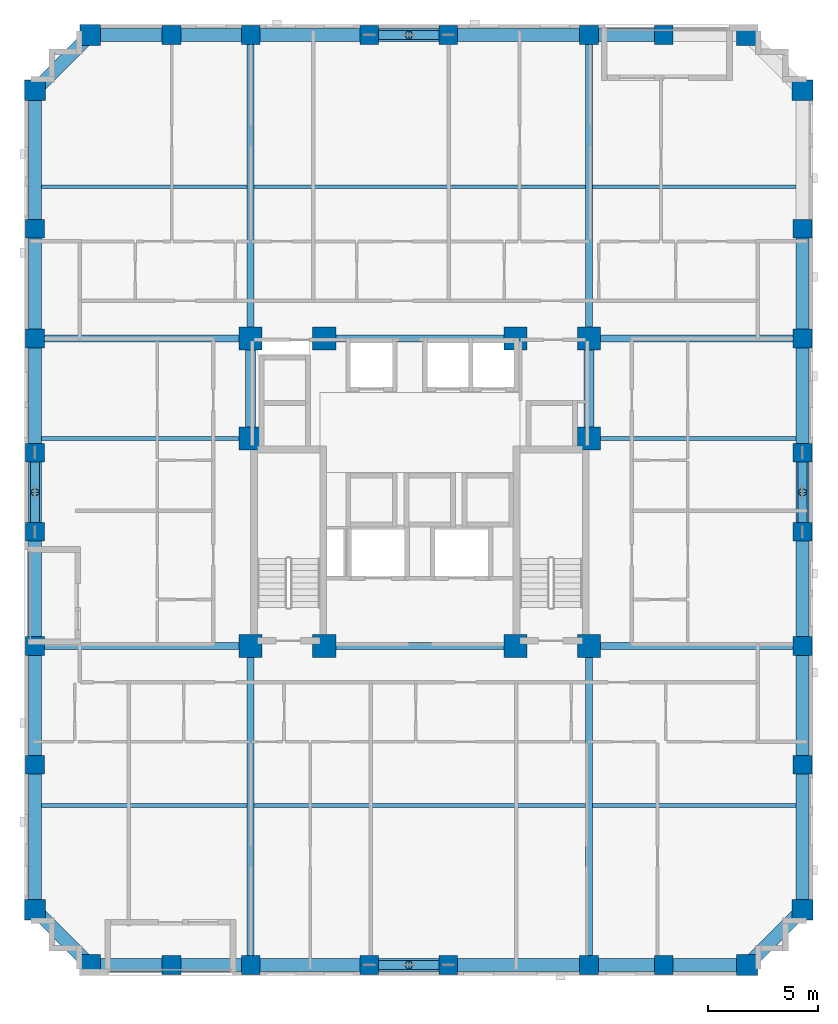
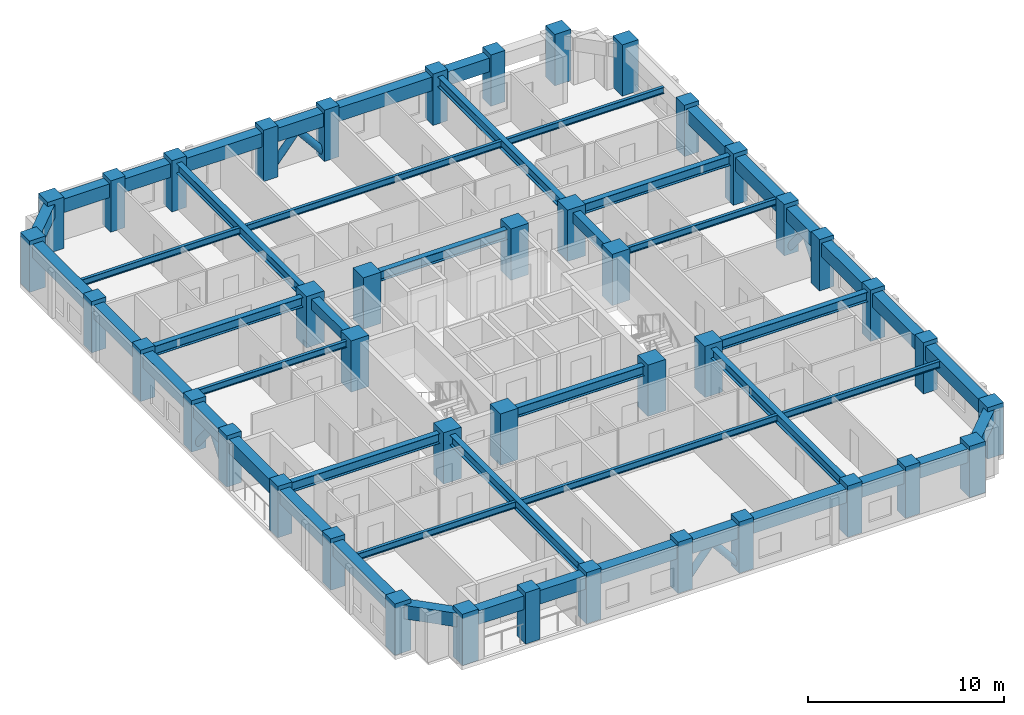
# One storey, part 1 of 12: 49 beams, 42 columns, 8 members.
"""IFC4 building model written with IfcOpenShell, lengths in metres."""

from ifc_helpers import new_model, si_unit, derived_unit, direction, frame, origin, origin_2d, place, context, subcontext, project, spatial, rectangle, hollow_circle, i_section, extrude, material, material_profile, profile_set, type_object, element, save


model = new_model("IFC4")

# Units and contexts
model_context = context("Model", 3, precision=1e-05, world=origin(), true_north=direction((0.0, 1.0)))
body_context = subcontext(model_context, "Body", "Model", "MODEL_VIEW")
ifc_project = project(units=[si_unit("LENGTHUNIT", "METRE"), si_unit("AREAUNIT", "SQUARE_METRE"), si_unit("VOLUMEUNIT", "CUBIC_METRE"), si_unit("PLANEANGLEUNIT", "RADIAN"), si_unit("MASSUNIT", "GRAM", prefix="KILO"), derived_unit("THERMALTRANSMITTANCEUNIT", [(si_unit("MASSUNIT", "GRAM", prefix="KILO"), 1), (si_unit("TIMEUNIT", "SECOND"), -3), (si_unit("THERMODYNAMICTEMPERATUREUNIT", "KELVIN"), -1)])], contexts=[model_context])

# Site, building, storey
site_placement = place(None, origin())
site = spatial("IfcSite", under=ifc_project, at=site_placement, CompositionType="ELEMENT")
building_placement = place(site_placement, origin())
building = spatial("IfcBuilding", under=site, at=building_placement, Name="Korrvale Station Residences", CompositionType="ELEMENT")
storey_placement = place(building_placement, frame((0.0, 0.0, 87.89990234375)))
storey = spatial("IfcBuildingStorey", under=building, at=storey_placement, Name="L24", CompositionType="ELEMENT", Elevation=87.89990234375)

# Columns
ifc_material_1 = material(Name="Concrete C60/75", Category="concrete")
ifc_material_profile_1 = material_profile(ifc_material_1, rectangle(XDim=1.050048828125, YDim=1.050048828125, at=origin_2d()), Name="RC1050x1050")
ifc_profile_set_1 = profile_set([ifc_material_profile_1], Name="Concrete C60/75")
column_type_1 = type_object("IfcColumnType", Name="COL-C-RC1050x1050-C6075", PredefinedType="COLUMN", material=ifc_profile_set_1)
for number, where, z_axis, x_axis, name in (
    (1, (17.800048828125, 15.0, 0.0), (0.0, 0.0, 1.0), (1.0, 0.0, 0.0), "L24 Core Column 01"),
    (2, (21.14990234375, 15.0, 0.0), (0.0, 0.0, 1.0), (1.0, 0.0, 0.0), "L24 Core Column 02"),
    (3, (29.85009765625, 15.0, 0.0), (0.0, 0.0, 1.0), (1.0, 0.0, 0.0), "L24 Core Column 03"),
    (4, (33.199951171875, 15.0, 0.0), (0.0, 0.0, 1.0), (1.0, 0.0, 0.0), "L24 Core Column 04"),
    (5, (17.800048828125, 29.0, 0.0), (0.0, 0.0, 1.0), (1.0, 0.0, 0.0), "L24 Core Column 05"),
    (6, (21.14990234375, 29.0, 0.0), (0.0, 0.0, 1.0), (1.0, 0.0, 0.0), "L24 Core Column 06"),
    (7, (29.85009765625, 29.0, 0.0), (0.0, 0.0, 1.0), (1.0, 0.0, 0.0), "L24 Core Column 07"),
    (8, (33.199951171875, 29.0, 0.0), (0.0, 0.0, 1.0), (1.0, 0.0, 0.0), "L24 Core Column 08"),
    (9, (17.800048828125, 24.449951171875, 0.0), (0.0, 0.0, 1.0), (1.0, 0.0, 0.0), "L24 Core Column 09"),
    (10, (33.199951171875, 24.449951171875, 0.0), (0.0, 0.0, 1.0), (1.0, 0.0, 0.0), "L24 Core Column 10"),
):
    element("IfcColumn", number, at=place(storey_placement, frame(where, z_axis=z_axis, x_axis=x_axis)), inside=storey, type_object=column_type_1, Name=name, PredefinedType="COLUMN", context=body_context, shape_type="SweptSolid", body=[
        extrude(rectangle(XDim=1.050048828125, YDim=1.050048828125, at=origin_2d()), origin(), (0.0, 0.0, 1.0), 3.2001953125),
    ])
ifc_material_profile_2 = material_profile(ifc_material_1, rectangle(XDim=0.85009765625, YDim=0.85009765625, at=origin_2d()), Name="RC850x850")
ifc_profile_set_2 = profile_set([ifc_material_profile_2], Name="Concrete C60/75")
column_type_2 = type_object("IfcColumnType", Name="COL-C-RC850x850-C6075", PredefinedType="COLUMN", material=ifc_profile_set_2)
for number, where, z_axis, x_axis, name in (
    (11, (14.199951171875, 0.47998046875, 0.0), (0.0, 0.0, 1.0), (1.0, 0.0, 0.0), "L24 Bundled-Tube South Column 02"),
    (12, (17.800048828125, 0.47998046875, 0.0), (0.0, 0.0, 1.0), (1.0, 0.0, 0.0), "L24 Bundled-Tube South Column 03"),
    (13, (23.199951171875, 0.47998046875, 0.0), (0.0, 0.0, 1.0), (1.0, 0.0, 0.0), "L24 Bundled-Tube South Column 04"),
    (14, (26.800048828125, 0.47998046875, 0.0), (0.0, 0.0, 1.0), (1.0, 0.0, 0.0), "L24 Bundled-Tube South Column 05"),
    (15, (33.199951171875, 0.47998046875, 0.0), (0.0, 0.0, 1.0), (1.0, 0.0, 0.0), "L24 Bundled-Tube South Column 06"),
    (16, (36.60009765625, 0.47998046875, 0.0), (0.0, 0.0, 1.0), (1.0, 0.0, 0.0), "L24 Bundled-Tube South Column 07"),
    (17, (14.199951171875, 42.820068359375, 0.0), (0.0, 0.0, 1.0), (1.0, 0.0, 0.0), "L24 Bundled-Tube North Column 10"),
    (18, (17.800048828125, 42.820068359375, 0.0), (0.0, 0.0, 1.0), (1.0, 0.0, 0.0), "L24 Bundled-Tube North Column 11"),
    (19, (23.199951171875, 42.820068359375, 0.0), (0.0, 0.0, 1.0), (1.0, 0.0, 0.0), "L24 Bundled-Tube North Column 12"),
    (20, (26.800048828125, 42.820068359375, 0.0), (0.0, 0.0, 1.0), (1.0, 0.0, 0.0), "L24 Bundled-Tube North Column 13"),
    (21, (33.199951171875, 42.820068359375, 0.0), (0.0, 0.0, 1.0), (1.0, 0.0, 0.0), "L24 Bundled-Tube North Column 14"),
    (22, (36.60009765625, 42.820068359375, 0.0), (0.0, 0.0, 1.0), (1.0, 0.0, 0.0), "L24 Bundled-Tube North Column 15"),
    (23, (7.97998046875, 9.60009765625, 0.0), (0.0, 0.0, 1.0), (1.0, 0.0, 0.0), "L24 Bundled-Tube West Column 18"),
    (24, (7.97998046875, 15.0, 0.0), (0.0, 0.0, 1.0), (1.0, 0.0, 0.0), "L24 Bundled-Tube West Column 19"),
    (25, (7.97998046875, 20.199951171875, 0.0), (0.0, 0.0, 1.0), (1.0, 0.0, 0.0), "L24 Bundled-Tube West Column 20"),
    (26, (7.97998046875, 23.800048828125, 0.0), (0.0, 0.0, 1.0), (1.0, 0.0, 0.0), "L24 Bundled-Tube West Column 21"),
    (27, (7.97998046875, 29.0, 0.0), (0.0, 0.0, 1.0), (1.0, 0.0, 0.0), "L24 Bundled-Tube West Column 22"),
    (28, (7.97998046875, 34.0, 0.0), (0.0, 0.0, 1.0), (1.0, 0.0, 0.0), "L24 Bundled-Tube West Column 23"),
    (29, (42.919921875, 9.60009765625, 0.0), (0.0, 0.0, 1.0), (1.0, 0.0, 0.0), "L24 Bundled-Tube East Column 26"),
    (30, (42.919921875, 15.0, 0.0), (0.0, 0.0, 1.0), (1.0, 0.0, 0.0), "L24 Bundled-Tube East Column 27"),
    (31, (42.919921875, 20.199951171875, 0.0), (0.0, 0.0, 1.0), (1.0, 0.0, 0.0), "L24 Bundled-Tube East Column 28"),
    (32, (42.919921875, 23.800048828125, 0.0), (0.0, 0.0, 1.0), (1.0, 0.0, 0.0), "L24 Bundled-Tube East Column 29"),
    (33, (42.919921875, 29.0, 0.0), (0.0, 0.0, 1.0), (1.0, 0.0, 0.0), "L24 Bundled-Tube East Column 30"),
    (34, (42.919921875, 34.0, 0.0), (0.0, 0.0, 1.0), (1.0, 0.0, 0.0), "L24 Bundled-Tube East Column 31"),
):
    element("IfcColumn", number, at=place(storey_placement, frame(where, z_axis=z_axis, x_axis=x_axis)), inside=storey, type_object=column_type_2, Name=name, PredefinedType="COLUMN", context=body_context, shape_type="SweptSolid", body=[
        extrude(rectangle(XDim=0.85009765625, YDim=0.85009765625, at=origin_2d()), origin(), (0.0, 0.0, 1.0), 3.2001953125),
    ])
ifc_material_profile_3 = material_profile(ifc_material_1, rectangle(XDim=0.949951171875, YDim=0.949951171875, at=origin_2d()), Name="RC950x950")
ifc_profile_set_3 = profile_set([ifc_material_profile_3], Name="Concrete C60/75")
column_type_3 = type_object("IfcColumnType", Name="COL-C-RC950x950-C6075", PredefinedType="COLUMN", material=ifc_profile_set_3)
for number, where, z_axis, x_axis, name in (
    (35, (10.5, 0.47998046875, 0.0), (0.0, 0.0, 1.0), (1.0, 0.0, 0.0), "L24 Bundled-Tube South Column 01"),
    (36, (40.39990234375, 0.47998046875, 0.0), (0.0, 0.0, 1.0), (1.0, 0.0, 0.0), "L24 Bundled-Tube South Column 08"),
    (37, (10.5, 42.820068359375, 0.0), (0.0, 0.0, 1.0), (1.0, 0.0, 0.0), "L24 Bundled-Tube North Column 09"),
    (38, (40.39990234375, 42.820068359375, 0.0), (0.0, 0.0, 1.0), (1.0, 0.0, 0.0), "L24 Bundled-Tube North Column 16"),
    (39, (7.97998046875, 3.0, 0.0), (0.0, 0.0, 1.0), (1.0, 0.0, 0.0), "L24 Bundled-Tube West Column 17"),
    (40, (7.97998046875, 40.300048828125, 0.0), (0.0, 0.0, 1.0), (1.0, 0.0, 0.0), "L24 Bundled-Tube West Column 24"),
    (41, (42.919921875, 3.0, 0.0), (0.0, 0.0, 1.0), (1.0, 0.0, 0.0), "L24 Bundled-Tube East Column 25"),
    (42, (42.919921875, 40.300048828125, 0.0), (0.0, 0.0, 1.0), (1.0, 0.0, 0.0), "L24 Bundled-Tube East Column 32"),
):
    element("IfcColumn", number, at=place(storey_placement, frame(where, z_axis=z_axis, x_axis=x_axis)), inside=storey, type_object=column_type_3, Name=name, PredefinedType="COLUMN", context=body_context, shape_type="SweptSolid", body=[
        extrude(rectangle(XDim=0.949951171875, YDim=0.949951171875, at=origin_2d()), origin(), (0.0, 0.0, 1.0), 3.2001953125),
    ])

# Beams
ifc_material_2 = material(Name="Steel S355", Category="steel")
ifc_material_profile_4 = material_profile(ifc_material_2, i_section(OverallWidth=0.324951171875, OverallDepth=0.615966796875, WebThickness=0.013916015625, FlangeThickness=0.021484375, FilletRadius=0.01904296875, at=origin_2d()), Name="W610x174")
ifc_profile_set_4 = profile_set([ifc_material_profile_4], Name="Steel S355")
beam_type_1 = type_object("IfcBeamType", Name="BM-BM-W610x174-S355", PredefinedType="BEAM", material=ifc_profile_set_4)
for number, where, z_axis, x_axis, name in (
    (43, (17.800048828125, 0.47998046875, 2.632080078125), (0.0, 1.0, 0.0), (-1.0, 0.0, 0.0), "L24 Bundled-Tube Web Girder 01"),
    (44, (33.199951171875, 0.47998046875, 2.632080078125), (0.0, 1.0, 0.0), (-1.0, 0.0, 0.0), "L24 Bundled-Tube Web Girder 02"),
):
    element("IfcBeam", number, at=place(storey_placement, frame(where, z_axis=z_axis, x_axis=x_axis)), inside=storey, type_object=beam_type_1, Name=name, PredefinedType="BEAM", context=body_context, shape_type="SweptSolid", body=[
        extrude(i_section(OverallWidth=0.324951171875, OverallDepth=0.615966796875, WebThickness=0.013916015625, FlangeThickness=0.021484375, FilletRadius=0.01904296875, at=origin_2d()), origin(), (0.0, 0.0, 1.0), 14.52001953125),
    ])
for number, where, z_axis, x_axis, name in (
    (45, (17.800048828125, 29.0, 2.632080078125), (0.0, 1.0, 0.0), (-1.0, 0.0, 0.0), "L24 Bundled-Tube Web Girder 03"),
    (46, (33.199951171875, 29.0, 2.632080078125), (0.0, 1.0, 0.0), (-1.0, 0.0, 0.0), "L24 Bundled-Tube Web Girder 04"),
):
    element("IfcBeam", number, at=place(storey_placement, frame(where, z_axis=z_axis, x_axis=x_axis)), inside=storey, type_object=beam_type_1, Name=name, PredefinedType="BEAM", context=body_context, shape_type="SweptSolid", body=[
        extrude(i_section(OverallWidth=0.324951171875, OverallDepth=0.615966796875, WebThickness=0.013916015625, FlangeThickness=0.021484375, FilletRadius=0.01904296875, at=origin_2d()), origin(), (0.0, 0.0, 1.0), 13.820068359375),
    ])
beam_1_placement = place(storey_placement, frame((7.97998046875, 15.0, 2.632080078125), z_axis=(1.0, 0.0, 0.0), x_axis=(0.0, 1.0, 0.0)))
element("IfcBeam", 47, at=beam_1_placement, inside=storey, type_object=beam_type_1, Name="L24 Bundled-Tube Web Girder 05", PredefinedType="BEAM", context=body_context, shape_type="SweptSolid", body=[
    extrude(i_section(OverallWidth=0.324951171875, OverallDepth=0.615966796875, WebThickness=0.013916015625, FlangeThickness=0.021484375, FilletRadius=0.01904296875, at=origin_2d()), origin(), (0.0, 0.0, 1.0), 9.820068359375),
])
beam_2_placement = place(storey_placement, frame((33.199951171875, 15.0, 2.632080078125), z_axis=(1.0, 0.0, 0.0), x_axis=(0.0, 1.0, 0.0)))
element("IfcBeam", 48, at=beam_2_placement, inside=storey, type_object=beam_type_1, Name="L24 Bundled-Tube Web Girder 06", PredefinedType="BEAM", context=body_context, shape_type="SweptSolid", body=[
    extrude(i_section(OverallWidth=0.324951171875, OverallDepth=0.615966796875, WebThickness=0.013916015625, FlangeThickness=0.021484375, FilletRadius=0.01904296875, at=origin_2d()), origin(), (0.0, 0.0, 1.0), 9.719970703125),
])
beam_3_placement = place(storey_placement, frame((7.97998046875, 29.0, 2.632080078125), z_axis=(1.0, 0.0, 0.0), x_axis=(0.0, 1.0, 0.0)))
element("IfcBeam", 49, at=beam_3_placement, inside=storey, type_object=beam_type_1, Name="L24 Bundled-Tube Web Girder 07", PredefinedType="BEAM", context=body_context, shape_type="SweptSolid", body=[
    extrude(i_section(OverallWidth=0.324951171875, OverallDepth=0.615966796875, WebThickness=0.013916015625, FlangeThickness=0.021484375, FilletRadius=0.01904296875, at=origin_2d()), origin(), (0.0, 0.0, 1.0), 9.820068359375),
])
beam_4_placement = place(storey_placement, frame((33.199951171875, 29.0, 2.632080078125), z_axis=(1.0, 0.0, 0.0), x_axis=(0.0, 1.0, 0.0)))
element("IfcBeam", 50, at=beam_4_placement, inside=storey, type_object=beam_type_1, Name="L24 Bundled-Tube Web Girder 08", PredefinedType="BEAM", context=body_context, shape_type="SweptSolid", body=[
    extrude(i_section(OverallWidth=0.324951171875, OverallDepth=0.615966796875, WebThickness=0.013916015625, FlangeThickness=0.021484375, FilletRadius=0.01904296875, at=origin_2d()), origin(), (0.0, 0.0, 1.0), 9.719970703125),
])
for number, where, z_axis, x_axis, name in (
    (51, (21.14990234375, 15.0, 2.632080078125), (1.0, 0.0, 0.0), (0.0, 1.0, 0.0), "L24 Bundled-Tube Web Girder 09"),
    (52, (21.14990234375, 29.0, 2.632080078125), (1.0, 0.0, 0.0), (0.0, 1.0, 0.0), "L24 Bundled-Tube Web Girder 10"),
):
    element("IfcBeam", number, at=place(storey_placement, frame(where, z_axis=z_axis, x_axis=x_axis)), inside=storey, type_object=beam_type_1, Name=name, PredefinedType="BEAM", context=body_context, shape_type="SweptSolid", body=[
        extrude(i_section(OverallWidth=0.324951171875, OverallDepth=0.615966796875, WebThickness=0.013916015625, FlangeThickness=0.021484375, FilletRadius=0.01904296875, at=origin_2d()), origin(), (0.0, 0.0, 1.0), 8.7001953125),
    ])
ifc_material_profile_5 = material_profile(ifc_material_2, i_section(OverallWidth=0.177978515625, OverallDepth=0.406982421875, WebThickness=0.0078125, FlangeThickness=0.0126953125, FilletRadius=0.01611328125, at=origin_2d()), Name="W410x60")
ifc_profile_set_5 = profile_set([ifc_material_profile_5], Name="Steel S355")
beam_type_2 = type_object("IfcBeamType", Name="BM-JST-W410x60-S355", PredefinedType="JOIST", material=ifc_profile_set_5)
beam_5_placement = place(storey_placement, frame((8.280029296875, 7.739990234375, 2.736572265625), z_axis=(1.0, 0.0, 0.0), x_axis=(0.0, 1.0, 0.0)))
element("IfcBeam", 53, at=beam_5_placement, inside=storey, type_object=beam_type_2, Name="L24 Floor Framing Joist 01", PredefinedType="JOIST", context=body_context, shape_type="SweptSolid", body=[
    extrude(i_section(OverallWidth=0.177978515625, OverallDepth=0.406982421875, WebThickness=0.0078125, FlangeThickness=0.0126953125, FilletRadius=0.01611328125, at=origin_2d()), origin(), (0.0, 0.0, 1.0), 9.357421875),
])
beam_6_placement = place(storey_placement, frame((17.96240234375, 7.739990234375, 2.736572265625), z_axis=(1.0, 0.0, 0.0), x_axis=(0.0, 1.0, 0.0)))
element("IfcBeam", 54, at=beam_6_placement, inside=storey, type_object=beam_type_2, Name="L24 Floor Framing Joist 02", PredefinedType="JOIST", context=body_context, shape_type="SweptSolid", body=[
    extrude(i_section(OverallWidth=0.177978515625, OverallDepth=0.406982421875, WebThickness=0.0078125, FlangeThickness=0.0126953125, FilletRadius=0.01611328125, at=origin_2d()), origin(), (0.0, 0.0, 1.0), 15.0751953125),
])
beam_7_placement = place(storey_placement, frame((33.362548828125, 7.739990234375, 2.736572265625), z_axis=(1.0, 0.0, 0.0), x_axis=(0.0, 1.0, 0.0)))
element("IfcBeam", 55, at=beam_7_placement, inside=storey, type_object=beam_type_2, Name="L24 Floor Framing Joist 03", PredefinedType="JOIST", context=body_context, shape_type="SweptSolid", body=[
    extrude(i_section(OverallWidth=0.177978515625, OverallDepth=0.406982421875, WebThickness=0.0078125, FlangeThickness=0.0126953125, FilletRadius=0.01611328125, at=origin_2d()), origin(), (0.0, 0.0, 1.0), 9.257568359375),
])
beam_8_placement = place(storey_placement, frame((8.280029296875, 35.909912109375, 2.736572265625), z_axis=(1.0, 0.0, 0.0), x_axis=(0.0, 1.0, 0.0)))
element("IfcBeam", 56, at=beam_8_placement, inside=storey, type_object=beam_type_2, Name="L24 Floor Framing Joist 04", PredefinedType="JOIST", context=body_context, shape_type="SweptSolid", body=[
    extrude(i_section(OverallWidth=0.177978515625, OverallDepth=0.406982421875, WebThickness=0.0078125, FlangeThickness=0.0126953125, FilletRadius=0.01611328125, at=origin_2d()), origin(), (0.0, 0.0, 1.0), 9.357421875),
])
beam_9_placement = place(storey_placement, frame((17.96240234375, 35.909912109375, 2.736572265625), z_axis=(1.0, 0.0, 0.0), x_axis=(0.0, 1.0, 0.0)))
element("IfcBeam", 57, at=beam_9_placement, inside=storey, type_object=beam_type_2, Name="L24 Floor Framing Joist 05", PredefinedType="JOIST", context=body_context, shape_type="SweptSolid", body=[
    extrude(i_section(OverallWidth=0.177978515625, OverallDepth=0.406982421875, WebThickness=0.0078125, FlangeThickness=0.0126953125, FilletRadius=0.01611328125, at=origin_2d()), origin(), (0.0, 0.0, 1.0), 15.0751953125),
])
beam_10_placement = place(storey_placement, frame((33.362548828125, 35.909912109375, 2.736572265625), z_axis=(1.0, 0.0, 0.0), x_axis=(0.0, 1.0, 0.0)))
element("IfcBeam", 58, at=beam_10_placement, inside=storey, type_object=beam_type_2, Name="L24 Floor Framing Joist 06", PredefinedType="JOIST", context=body_context, shape_type="SweptSolid", body=[
    extrude(i_section(OverallWidth=0.177978515625, OverallDepth=0.406982421875, WebThickness=0.0078125, FlangeThickness=0.0126953125, FilletRadius=0.01611328125, at=origin_2d()), origin(), (0.0, 0.0, 1.0), 9.257568359375),
])
beam_11_placement = place(storey_placement, frame((33.425048828125, 24.449951171875, 2.736572265625), z_axis=(1.0, 0.0, 0.0), x_axis=(0.0, 1.0, 0.0)))
element("IfcBeam", 59, at=beam_11_placement, inside=storey, type_object=beam_type_2, Name="L24 Floor Framing Joist 07", PredefinedType="JOIST", context=body_context, shape_type="SweptSolid", body=[
    extrude(i_section(OverallWidth=0.177978515625, OverallDepth=0.406982421875, WebThickness=0.0078125, FlangeThickness=0.0126953125, FilletRadius=0.01611328125, at=origin_2d()), origin(), (0.0, 0.0, 1.0), 9.195068359375),
])
beam_12_placement = place(storey_placement, frame((8.280029296875, 24.449951171875, 2.736572265625), z_axis=(1.0, 0.0, 0.0), x_axis=(0.0, 1.0, 0.0)))
element("IfcBeam", 60, at=beam_12_placement, inside=storey, type_object=beam_type_2, Name="L24 Floor Framing Joist 08", PredefinedType="JOIST", context=body_context, shape_type="SweptSolid", body=[
    extrude(i_section(OverallWidth=0.177978515625, OverallDepth=0.406982421875, WebThickness=0.0078125, FlangeThickness=0.0126953125, FilletRadius=0.01611328125, at=origin_2d()), origin(), (0.0, 0.0, 1.0), 9.294921875),
])
ifc_material_profile_6 = material_profile(ifc_material_1, rectangle(XDim=0.449951171875, YDim=0.64990234375, at=origin_2d()), Name="RCB450x650")
ifc_profile_set_6 = profile_set([ifc_material_profile_6], Name="Concrete C60/75")
beam_type_3 = type_object("IfcBeamType", Name="BM-LNT-RCB450x650-C6075", PredefinedType="LINTEL", material=ifc_profile_set_6)
for number, where, z_axis, x_axis, name in (
    (61, (17.800048828125, 24.449951171875, 2.614990234375), (0.0, 1.0, 0.0), (-1.0, 0.0, 0.0), "L24 Core Coupling Lintel 1"),
    (62, (33.199951171875, 24.449951171875, 2.614990234375), (0.0, 1.0, 0.0), (-1.0, 0.0, 0.0), "L24 Core Coupling Lintel 2"),
):
    element("IfcBeam", number, at=place(storey_placement, frame(where, z_axis=z_axis, x_axis=x_axis)), inside=storey, type_object=beam_type_3, Name=name, PredefinedType="LINTEL", context=body_context, shape_type="SweptSolid", body=[
        extrude(rectangle(XDim=0.449951171875, YDim=0.64990234375, at=origin_2d()), origin(), (0.0, 0.0, 1.0), 4.550048828125),
    ])
ifc_material_profile_7 = material_profile(ifc_material_1, rectangle(XDim=0.60009765625, YDim=0.85009765625, at=origin_2d()), Name="RCB600x850")
ifc_profile_set_7 = profile_set([ifc_material_profile_7], Name="Concrete C60/75")
beam_type_4 = type_object("IfcBeamType", Name="BM-SPB-RCB600x850-C6075", PredefinedType="SPANDREL", material=ifc_profile_set_7)
beam_13_placement = place(storey_placement, frame((10.5, 0.47998046875, 2.51513671875), z_axis=(1.0, 0.0, 0.0), x_axis=(0.0, 1.0, 0.0)))
element("IfcBeam", 63, at=beam_13_placement, inside=storey, type_object=beam_type_4, Name="L24 South Tube Spandrel 01", PredefinedType="SPANDREL", context=body_context, shape_type="SweptSolid", body=[
    extrude(rectangle(XDim=0.60009765625, YDim=0.85009765625, at=origin_2d()), origin(), (0.0, 0.0, 1.0), 3.699951171875),
])
beam_14_placement = place(storey_placement, frame((14.199951171875, 0.47998046875, 2.51513671875), z_axis=(1.0, 0.0, 0.0), x_axis=(0.0, 1.0, 0.0)))
element("IfcBeam", 64, at=beam_14_placement, inside=storey, type_object=beam_type_4, Name="L24 South Tube Spandrel 02", PredefinedType="SPANDREL", context=body_context, shape_type="SweptSolid", body=[
    extrude(rectangle(XDim=0.60009765625, YDim=0.85009765625, at=origin_2d()), origin(), (0.0, 0.0, 1.0), 3.60009765625),
])
beam_15_placement = place(storey_placement, frame((17.800048828125, 0.47998046875, 2.51513671875), z_axis=(1.0, 0.0, 0.0), x_axis=(0.0, 1.0, 0.0)))
element("IfcBeam", 65, at=beam_15_placement, inside=storey, type_object=beam_type_4, Name="L24 South Tube Spandrel 03", PredefinedType="SPANDREL", context=body_context, shape_type="SweptSolid", body=[
    extrude(rectangle(XDim=0.60009765625, YDim=0.85009765625, at=origin_2d()), origin(), (0.0, 0.0, 1.0), 5.39990234375),
])
beam_16_placement = place(storey_placement, frame((23.199951171875, 0.47998046875, 2.51513671875), z_axis=(1.0, 0.0, 0.0), x_axis=(0.0, 1.0, 0.0)))
element("IfcBeam", 66, at=beam_16_placement, inside=storey, type_object=beam_type_4, Name="L24 South Tube Spandrel 04", PredefinedType="SPANDREL", context=body_context, shape_type="SweptSolid", body=[
    extrude(rectangle(XDim=0.60009765625, YDim=0.85009765625, at=origin_2d()), origin(), (0.0, 0.0, 1.0), 3.60009765625),
])
beam_17_placement = place(storey_placement, frame((26.800048828125, 0.47998046875, 2.51513671875), z_axis=(1.0, 0.0, 0.0), x_axis=(0.0, 1.0, 0.0)))
element("IfcBeam", 67, at=beam_17_placement, inside=storey, type_object=beam_type_4, Name="L24 South Tube Spandrel 05", PredefinedType="SPANDREL", context=body_context, shape_type="SweptSolid", body=[
    extrude(rectangle(XDim=0.60009765625, YDim=0.85009765625, at=origin_2d()), origin(), (0.0, 0.0, 1.0), 6.39990234375),
])
beam_18_placement = place(storey_placement, frame((33.199951171875, 0.47998046875, 2.51513671875), z_axis=(1.0, 0.0, 0.0), x_axis=(0.0, 1.0, 0.0)))
element("IfcBeam", 68, at=beam_18_placement, inside=storey, type_object=beam_type_4, Name="L24 South Tube Spandrel 06", PredefinedType="SPANDREL", context=body_context, shape_type="SweptSolid", body=[
    extrude(rectangle(XDim=0.60009765625, YDim=0.85009765625, at=origin_2d()), origin(), (0.0, 0.0, 1.0), 3.400146484375),
])
beam_19_placement = place(storey_placement, frame((36.60009765625, 0.47998046875, 2.51513671875), z_axis=(1.0, 0.0, 0.0), x_axis=(0.0, 1.0, 0.0)))
element("IfcBeam", 69, at=beam_19_placement, inside=storey, type_object=beam_type_4, Name="L24 South Tube Spandrel 07", PredefinedType="SPANDREL", context=body_context, shape_type="SweptSolid", body=[
    extrude(rectangle(XDim=0.60009765625, YDim=0.85009765625, at=origin_2d()), origin(), (0.0, 0.0, 1.0), 3.7998046875),
])
beam_20_placement = place(storey_placement, frame((10.5, 42.820068359375, 2.51513671875), z_axis=(1.0, 0.0, 0.0), x_axis=(0.0, 1.0, 0.0)))
element("IfcBeam", 70, at=beam_20_placement, inside=storey, type_object=beam_type_4, Name="L24 North Tube Spandrel 08", PredefinedType="SPANDREL", context=body_context, shape_type="SweptSolid", body=[
    extrude(rectangle(XDim=0.60009765625, YDim=0.85009765625, at=origin_2d()), origin(), (0.0, 0.0, 1.0), 3.699951171875),
])
beam_21_placement = place(storey_placement, frame((14.199951171875, 42.820068359375, 2.51513671875), z_axis=(1.0, 0.0, 0.0), x_axis=(0.0, 1.0, 0.0)))
element("IfcBeam", 71, at=beam_21_placement, inside=storey, type_object=beam_type_4, Name="L24 North Tube Spandrel 09", PredefinedType="SPANDREL", context=body_context, shape_type="SweptSolid", body=[
    extrude(rectangle(XDim=0.60009765625, YDim=0.85009765625, at=origin_2d()), origin(), (0.0, 0.0, 1.0), 3.60009765625),
])
beam_22_placement = place(storey_placement, frame((17.800048828125, 42.820068359375, 2.51513671875), z_axis=(1.0, 0.0, 0.0), x_axis=(0.0, 1.0, 0.0)))
element("IfcBeam", 72, at=beam_22_placement, inside=storey, type_object=beam_type_4, Name="L24 North Tube Spandrel 10", PredefinedType="SPANDREL", context=body_context, shape_type="SweptSolid", body=[
    extrude(rectangle(XDim=0.60009765625, YDim=0.85009765625, at=origin_2d()), origin(), (0.0, 0.0, 1.0), 5.39990234375),
])
beam_23_placement = place(storey_placement, frame((23.199951171875, 42.820068359375, 2.51513671875), z_axis=(1.0, 0.0, 0.0), x_axis=(0.0, 1.0, 0.0)))
element("IfcBeam", 73, at=beam_23_placement, inside=storey, type_object=beam_type_4, Name="L24 North Tube Spandrel 11", PredefinedType="SPANDREL", context=body_context, shape_type="SweptSolid", body=[
    extrude(rectangle(XDim=0.60009765625, YDim=0.85009765625, at=origin_2d()), origin(), (0.0, 0.0, 1.0), 3.60009765625),
])
beam_24_placement = place(storey_placement, frame((26.800048828125, 42.820068359375, 2.51513671875), z_axis=(1.0, 0.0, 0.0), x_axis=(0.0, 1.0, 0.0)))
element("IfcBeam", 74, at=beam_24_placement, inside=storey, type_object=beam_type_4, Name="L24 North Tube Spandrel 12", PredefinedType="SPANDREL", context=body_context, shape_type="SweptSolid", body=[
    extrude(rectangle(XDim=0.60009765625, YDim=0.85009765625, at=origin_2d()), origin(), (0.0, 0.0, 1.0), 6.39990234375),
])
beam_25_placement = place(storey_placement, frame((33.199951171875, 42.820068359375, 2.51513671875), z_axis=(1.0, 0.0, 0.0), x_axis=(0.0, 1.0, 0.0)))
element("IfcBeam", 75, at=beam_25_placement, inside=storey, type_object=beam_type_4, Name="L24 North Tube Spandrel 13", PredefinedType="SPANDREL", context=body_context, shape_type="SweptSolid", body=[
    extrude(rectangle(XDim=0.60009765625, YDim=0.85009765625, at=origin_2d()), origin(), (0.0, 0.0, 1.0), 3.400146484375),
])
beam_26_placement = place(storey_placement, frame((7.97998046875, 3.0, 2.51513671875), z_axis=(0.0, 1.0, 0.0), x_axis=(-1.0, 0.0, 0.0)))
element("IfcBeam", 76, at=beam_26_placement, inside=storey, type_object=beam_type_4, Name="L24 West Tube Spandrel 15", PredefinedType="SPANDREL", context=body_context, shape_type="SweptSolid", body=[
    extrude(rectangle(XDim=0.60009765625, YDim=0.85009765625, at=origin_2d()), origin(), (0.0, 0.0, 1.0), 6.60009765625),
])
beam_27_placement = place(storey_placement, frame((7.97998046875, 9.60009765625, 2.51513671875), z_axis=(0.0, 1.0, 0.0), x_axis=(-1.0, 0.0, 0.0)))
element("IfcBeam", 77, at=beam_27_placement, inside=storey, type_object=beam_type_4, Name="L24 West Tube Spandrel 16", PredefinedType="SPANDREL", context=body_context, shape_type="SweptSolid", body=[
    extrude(rectangle(XDim=0.60009765625, YDim=0.85009765625, at=origin_2d()), origin(), (0.0, 0.0, 1.0), 5.39990234375),
])
beam_28_placement = place(storey_placement, frame((7.97998046875, 15.0, 2.51513671875), z_axis=(0.0, 1.0, 0.0), x_axis=(-1.0, 0.0, 0.0)))
element("IfcBeam", 78, at=beam_28_placement, inside=storey, type_object=beam_type_4, Name="L24 West Tube Spandrel 17", PredefinedType="SPANDREL", context=body_context, shape_type="SweptSolid", body=[
    extrude(rectangle(XDim=0.60009765625, YDim=0.85009765625, at=origin_2d()), origin(), (0.0, 0.0, 1.0), 5.199951171875),
])
beam_29_placement = place(storey_placement, frame((7.97998046875, 20.199951171875, 2.51513671875), z_axis=(0.0, 1.0, 0.0), x_axis=(-1.0, 0.0, 0.0)))
element("IfcBeam", 79, at=beam_29_placement, inside=storey, type_object=beam_type_4, Name="L24 West Tube Spandrel 18", PredefinedType="SPANDREL", context=body_context, shape_type="SweptSolid", body=[
    extrude(rectangle(XDim=0.60009765625, YDim=0.85009765625, at=origin_2d()), origin(), (0.0, 0.0, 1.0), 3.60009765625),
])
beam_30_placement = place(storey_placement, frame((7.97998046875, 23.800048828125, 2.51513671875), z_axis=(0.0, 1.0, 0.0), x_axis=(-1.0, 0.0, 0.0)))
element("IfcBeam", 80, at=beam_30_placement, inside=storey, type_object=beam_type_4, Name="L24 West Tube Spandrel 19", PredefinedType="SPANDREL", context=body_context, shape_type="SweptSolid", body=[
    extrude(rectangle(XDim=0.60009765625, YDim=0.85009765625, at=origin_2d()), origin(), (0.0, 0.0, 1.0), 5.199951171875),
])
beam_31_placement = place(storey_placement, frame((7.97998046875, 29.0, 2.51513671875), z_axis=(0.0, 1.0, 0.0), x_axis=(-1.0, 0.0, 0.0)))
element("IfcBeam", 81, at=beam_31_placement, inside=storey, type_object=beam_type_4, Name="L24 West Tube Spandrel 20", PredefinedType="SPANDREL", context=body_context, shape_type="SweptSolid", body=[
    extrude(rectangle(XDim=0.60009765625, YDim=0.85009765625, at=origin_2d()), origin(), (0.0, 0.0, 1.0), 5.0),
])
beam_32_placement = place(storey_placement, frame((7.97998046875, 34.0, 2.51513671875), z_axis=(0.0, 1.0, 0.0), x_axis=(-1.0, 0.0, 0.0)))
element("IfcBeam", 82, at=beam_32_placement, inside=storey, type_object=beam_type_4, Name="L24 West Tube Spandrel 21", PredefinedType="SPANDREL", context=body_context, shape_type="SweptSolid", body=[
    extrude(rectangle(XDim=0.60009765625, YDim=0.85009765625, at=origin_2d()), origin(), (0.0, 0.0, 1.0), 6.300048828125),
])
beam_33_placement = place(storey_placement, frame((42.919921875, 3.0, 2.51513671875), z_axis=(0.0, 1.0, 0.0), x_axis=(-1.0, 0.0, 0.0)))
element("IfcBeam", 83, at=beam_33_placement, inside=storey, type_object=beam_type_4, Name="L24 East Tube Spandrel 22", PredefinedType="SPANDREL", context=body_context, shape_type="SweptSolid", body=[
    extrude(rectangle(XDim=0.60009765625, YDim=0.85009765625, at=origin_2d()), origin(), (0.0, 0.0, 1.0), 6.60009765625),
])
beam_34_placement = place(storey_placement, frame((42.919921875, 9.60009765625, 2.51513671875), z_axis=(0.0, 1.0, 0.0), x_axis=(-1.0, 0.0, 0.0)))
element("IfcBeam", 84, at=beam_34_placement, inside=storey, type_object=beam_type_4, Name="L24 East Tube Spandrel 23", PredefinedType="SPANDREL", context=body_context, shape_type="SweptSolid", body=[
    extrude(rectangle(XDim=0.60009765625, YDim=0.85009765625, at=origin_2d()), origin(), (0.0, 0.0, 1.0), 5.39990234375),
])
beam_35_placement = place(storey_placement, frame((42.919921875, 15.0, 2.51513671875), z_axis=(0.0, 1.0, 0.0), x_axis=(-1.0, 0.0, 0.0)))
element("IfcBeam", 85, at=beam_35_placement, inside=storey, type_object=beam_type_4, Name="L24 East Tube Spandrel 24", PredefinedType="SPANDREL", context=body_context, shape_type="SweptSolid", body=[
    extrude(rectangle(XDim=0.60009765625, YDim=0.85009765625, at=origin_2d()), origin(), (0.0, 0.0, 1.0), 5.199951171875),
])
beam_36_placement = place(storey_placement, frame((42.919921875, 20.199951171875, 2.51513671875), z_axis=(0.0, 1.0, 0.0), x_axis=(-1.0, 0.0, 0.0)))
element("IfcBeam", 86, at=beam_36_placement, inside=storey, type_object=beam_type_4, Name="L24 East Tube Spandrel 25", PredefinedType="SPANDREL", context=body_context, shape_type="SweptSolid", body=[
    extrude(rectangle(XDim=0.60009765625, YDim=0.85009765625, at=origin_2d()), origin(), (0.0, 0.0, 1.0), 3.60009765625),
])
beam_37_placement = place(storey_placement, frame((42.919921875, 23.800048828125, 2.51513671875), z_axis=(0.0, 1.0, 0.0), x_axis=(-1.0, 0.0, 0.0)))
element("IfcBeam", 87, at=beam_37_placement, inside=storey, type_object=beam_type_4, Name="L24 East Tube Spandrel 26", PredefinedType="SPANDREL", context=body_context, shape_type="SweptSolid", body=[
    extrude(rectangle(XDim=0.60009765625, YDim=0.85009765625, at=origin_2d()), origin(), (0.0, 0.0, 1.0), 5.199951171875),
])
beam_38_placement = place(storey_placement, frame((42.919921875, 29.0, 2.51513671875), z_axis=(0.0, 1.0, 0.0), x_axis=(-1.0, 0.0, 0.0)))
element("IfcBeam", 88, at=beam_38_placement, inside=storey, type_object=beam_type_4, Name="L24 East Tube Spandrel 27", PredefinedType="SPANDREL", context=body_context, shape_type="SweptSolid", body=[
    extrude(rectangle(XDim=0.60009765625, YDim=0.85009765625, at=origin_2d()), origin(), (0.0, 0.0, 1.0), 5.0),
])
for number, where, z_axis, x_axis, name in (
    (89, (10.5, 0.47998046875, 2.51513671875), (-0.707106781187, 0.707106781187, 0.0), (-0.707106781187, -0.707106781187, 0.0), "L24 Serrated Corner Spandrel 29"),
    (90, (40.39990234375, 0.47998046875, 2.51513671875), (0.707106781187, 0.707106781187, 0.0), (-0.707106781187, 0.707106781187, 0.0), "L24 Serrated Corner Spandrel 30"),
    (91, (10.5, 42.820068359375, 2.51513671875), (-0.707106781187, -0.707106781187, 0.0), (0.707106781187, -0.707106781187, 0.0), "L24 Serrated Corner Spandrel 32"),
):
    element("IfcBeam", number, at=place(storey_placement, frame(where, z_axis=z_axis, x_axis=x_axis)), inside=storey, type_object=beam_type_4, Name=name, PredefinedType="SPANDREL", context=body_context, shape_type="SweptSolid", body=[
        extrude(rectangle(XDim=0.60009765625, YDim=0.85009765625, at=origin_2d()), origin(), (0.0, 0.0, 1.0), 3.56396484375),
    ])

# Members
ifc_material_profile_8 = material_profile(ifc_material_2, hollow_circle(Radius=0.203125, WallThickness=0.015869140625, at=origin_2d()), Name="HSS406x16")
ifc_profile_set_8 = profile_set([ifc_material_profile_8], Name="Steel S355")
member_type = type_object("IfcMemberType", Name="MBR-BR-HSS406x16", PredefinedType="BRACE", material=ifc_profile_set_8)
for number, where, z_axis, x_axis, name in (
    (92, (23.199951171875, 0.47998046875, 0.02001953125), (0.634943249511, 0.0, 0.772558780871), (0.0, 1.0, 0.0), "L24 S Perimeter Tube Wind Brace 1"),
    (93, (26.800048828125, 0.47998046875, 0.02001953125), (-0.634943249511, 0.0, 0.772558780871), (0.0, -1.0, 0.0), "L24 S Perimeter Tube Wind Brace 2"),
    (94, (23.199951171875, 42.820068359375, 0.02001953125), (0.634943249511, 0.0, 0.772558780871), (0.0, 1.0, 0.0), "L24 N Perimeter Tube Wind Brace 1"),
    (95, (26.800048828125, 42.820068359375, 0.02001953125), (-0.634943249511, 0.0, 0.772558780871), (0.0, -1.0, 0.0), "L24 N Perimeter Tube Wind Brace 2"),
    (96, (7.97998046875, 20.199951171875, 0.02001953125), (0.0, 0.634943249511, 0.772558780871), (-1.0, 0.0, 0.0), "L24 W Perimeter Tube Wind Brace 1"),
    (97, (7.97998046875, 23.800048828125, 0.02001953125), (0.0, -0.634943249511, 0.772558780871), (1.0, 0.0, 0.0), "L24 W Perimeter Tube Wind Brace 2"),
    (98, (42.919921875, 20.199951171875, 0.02001953125), (0.0, 0.634943249511, 0.772558780871), (-1.0, 0.0, 0.0), "L24 E Perimeter Tube Wind Brace 1"),
    (99, (42.919921875, 23.800048828125, 0.02001953125), (0.0, -0.634943249511, 0.772558780871), (1.0, 0.0, 0.0), "L24 E Perimeter Tube Wind Brace 2"),
):
    element("IfcMember", number, at=place(storey_placement, frame(where, z_axis=z_axis, x_axis=x_axis)), inside=storey, type_object=member_type, Name=name, PredefinedType="BRACE", context=body_context, shape_type="SweptSolid", body=[
        extrude(hollow_circle(Radius=0.203125, WallThickness=0.015869140625, at=origin_2d()), origin(), (0.0, 0.0, 1.0), 2.8349609375),
    ])

save(model, "model.ifc")
